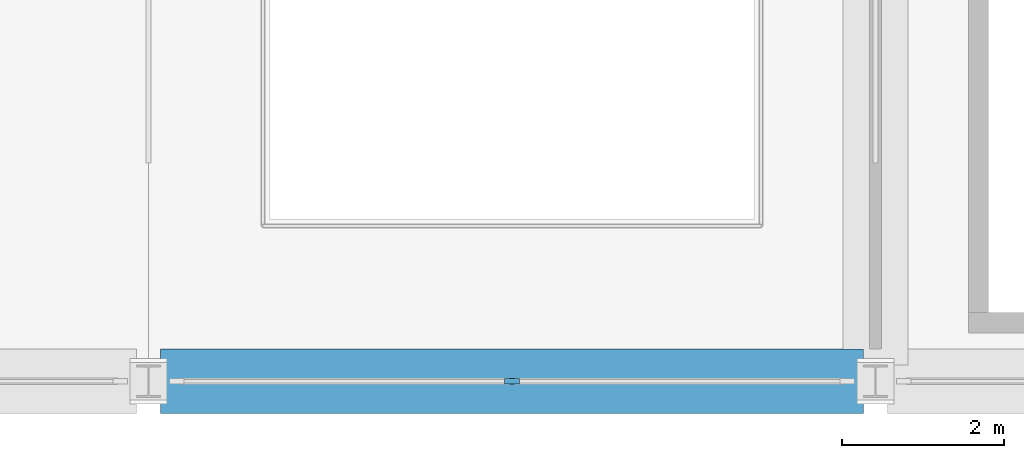
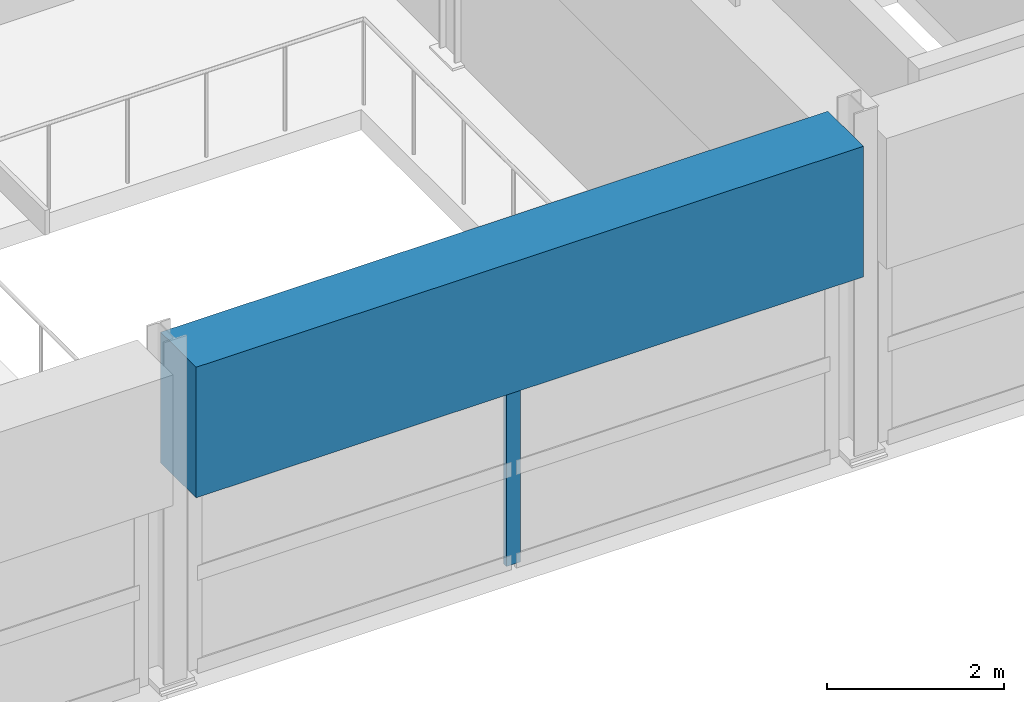
# One storey, part 4 of 56: 1 beam, 1 member, 1 element without a shape of its own.
"""IFC4 building model written with IfcOpenShell, lengths in metres."""

from ifc_helpers import new_model, si_unit, direction, frame, origin, origin_2d, place, context, subcontext, project, spatial, rectangle, extrude, material, material_profile, profile_set, type_object, element, aggregate, save


model = new_model("IFC4")

# Units and contexts
model_context = context("Model", 3, precision=1e-05, world=origin(), true_north=direction((0.0, 1.0)))
body_context = subcontext(model_context, "Body", "Model", "MODEL_VIEW")
ifc_project = project(units=[si_unit("LENGTHUNIT", "METRE"), si_unit("AREAUNIT", "SQUARE_METRE"), si_unit("VOLUMEUNIT", "CUBIC_METRE"), si_unit("PLANEANGLEUNIT", "RADIAN"), si_unit("MASSUNIT", "GRAM", prefix="KILO")], contexts=[model_context])

# Site, building, storey
site_placement = place(None, origin())
site = spatial("IfcSite", under=ifc_project, at=site_placement, CompositionType="ELEMENT")
building_placement = place(site_placement, origin())
building = spatial("IfcBuilding", under=site, at=building_placement, Name="Bozkorgan Art Gallery", CompositionType="ELEMENT")
storey_placement = place(building_placement, frame((0.0, 0.0, 24.0)))
storey = spatial("IfcBuildingStorey", under=building, at=storey_placement, Name="L05", CompositionType="ELEMENT", Elevation=24.0)

# Beam
ifc_material_1 = material(Name="Concrete C35/45", Category="concrete")
ifc_material_profile_1 = material_profile(ifc_material_1, rectangle(XDim=0.800048828125, YDim=1.800048828125, at=origin_2d()), Name="RC 800x1800")
ifc_profile_set_1 = profile_set([ifc_material_profile_1], Name="Concrete C35/45")
beam_type = type_object("IfcBeamType", Name="BEAM-BM-77", PredefinedType="BEAM", material=ifc_profile_set_1)
beam_placement = place(storey_placement, frame((29.14990234375, 2.0, 3.580078125), z_axis=(1.0, 0.0, 0.0), x_axis=(0.0, 1.0, 0.0)))
element("IfcBeam", 1, at=beam_placement, inside=storey, type_object=beam_type, Name="V1 L05 beam X (29-38, 2.0)", PredefinedType="BEAM", context=body_context, shape_type="SweptSolid", body=[
    extrude(rectangle(XDim=0.800048828125, YDim=1.800048828125, at=origin_2d()), origin(), (0.0, 0.0, 1.0), 8.7001953125),
])

# Curtain wall, member
ifc_material_2 = material(Name="Anodised Bronze Aluminium", Category="aluminium")
curtain_wall_type = type_object("IfcCurtainWallType", Name="CW-CW-23", PredefinedType="NOTDEFINED", material=ifc_material_2)
curtain_wall_placement = place(storey_placement, origin())
curtain_wall = element("IfcCurtainWall", 2, at=curtain_wall_placement, inside=storey, type_object=curtain_wall_type, Name="L05 unitised curtain wall CW-V1-L05-1S-07", PredefinedType="NOTDEFINED")
ifc_material_profile_2 = material_profile(ifc_material_2, rectangle(XDim=0.06494140625, YDim=0.179931640625, at=origin_2d()), Name="ALU MULLION 65x180")
ifc_profile_set_2 = profile_set([ifc_material_profile_2], Name="Anodised Bronze Aluminium")
member_type = type_object("IfcMemberType", Name="CWM-01", PredefinedType="MULLION", material=ifc_profile_set_2)
member_placement = place(storey_placement, frame((33.5, 2.0, 0.02001953125), z_axis=(0.0, 0.0, 1.0), x_axis=(0.0, 1.0, 0.0)))
member = element("IfcMember", 3, at=member_placement, type_object=member_type, Name="CW-23 mullion 2", PredefinedType="MULLION", context=body_context, shape_type="SweptSolid", body=[
    extrude(rectangle(XDim=0.06494140625, YDim=0.179931640625, at=origin_2d()), origin(), (0.0, 0.0, 1.0), 2.64501953125),
])
aggregate(curtain_wall, [member])

save(model, "model.ifc")
